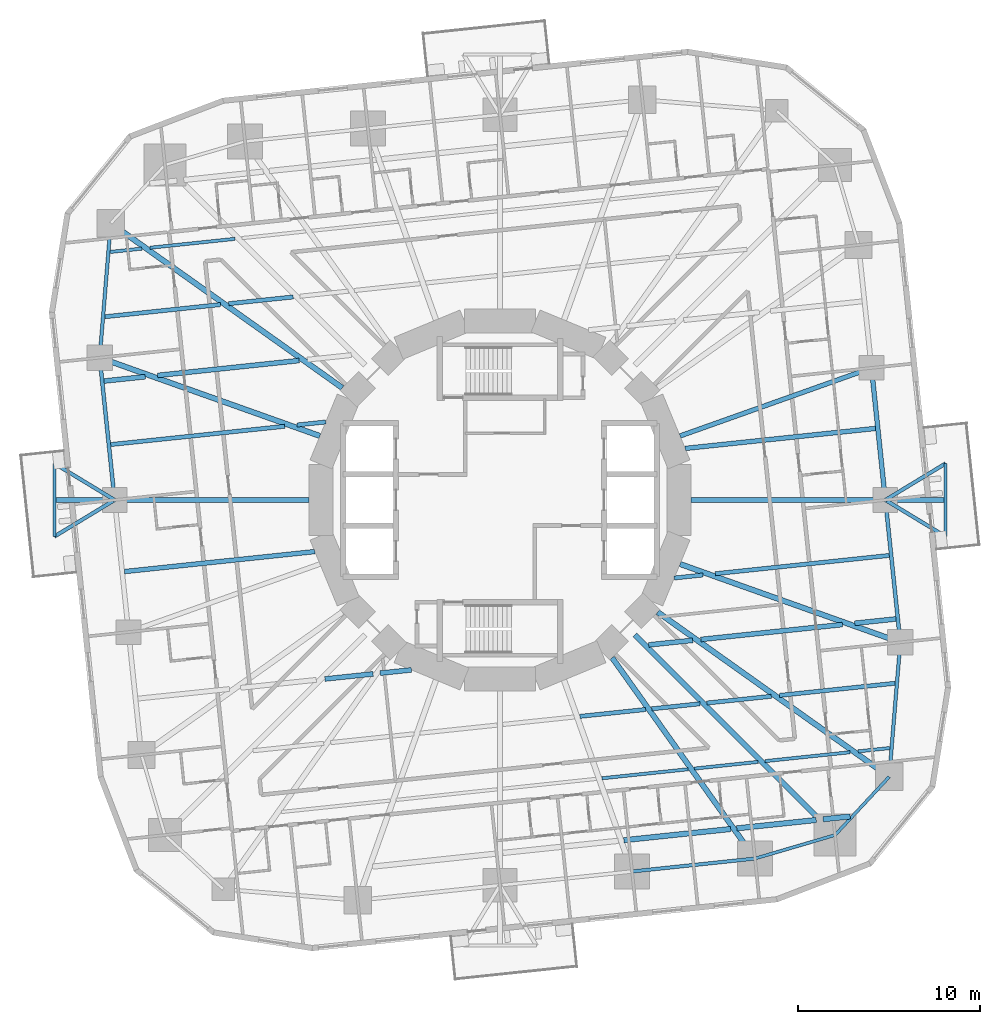
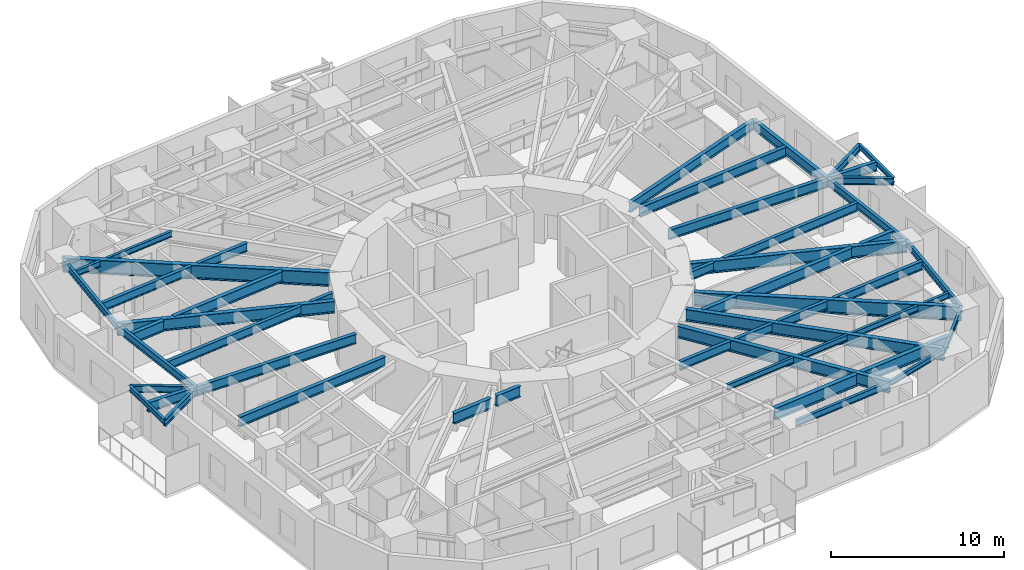
# One storey, part 2 of 13: 51 beams.
"""IFC4 building model written with IfcOpenShell, lengths in metres."""

from ifc_helpers import new_model, si_unit, direction, frame, origin, origin_2d, place, context, subcontext, project, spatial, i_section, extrude, material, material_profile, profile_set, type_object, element, save


model = new_model("IFC4")

# Units and contexts
model_context = context("Model", 3, precision=1e-05, world=origin(), true_north=direction((0.0, 1.0)))
body_context = subcontext(model_context, "Body", "Model", "MODEL_VIEW")
ifc_project = project(units=[si_unit("LENGTHUNIT", "METRE"), si_unit("AREAUNIT", "SQUARE_METRE"), si_unit("VOLUMEUNIT", "CUBIC_METRE"), si_unit("PLANEANGLEUNIT", "RADIAN"), si_unit("MASSUNIT", "GRAM", prefix="KILO")], contexts=[model_context])

# Site, building, storey
site_placement = place(None, origin())
site = spatial("IfcSite", under=ifc_project, at=site_placement, CompositionType="ELEMENT")
building_placement = place(site_placement, origin())
building = spatial("IfcBuilding", under=site, at=building_placement, Name="Nakasero Lantern House", CompositionType="ELEMENT")
storey_placement = place(building_placement, frame((0.0, 0.0, 83.60009765625)))
storey = spatial("IfcBuildingStorey", under=building, at=storey_placement, Name="L20", CompositionType="ELEMENT", Elevation=83.60009765625)

# Beams
ifc_material_1 = material(Name="Steel S355", Category="steel")
ifc_material_profile_1 = material_profile(ifc_material_1, i_section(OverallWidth=0.199462890625, OverallDepth=0.491943359375, WebThickness=0.01806640625, FlangeThickness=0.031982421875, FilletRadius=0.01025390625, at=origin_2d()), Name="UB 457x191x161")
ifc_profile_set_1 = profile_set([ifc_material_profile_1], Name="Steel S355")
beam_type_1 = type_object("IfcBeamType", Name="Balcony splay beam UB 457x191x161", PredefinedType="BEAM", material=ifc_profile_set_1)
for number, where, z_axis, x_axis, name in (
    (1, (21.11572265625, 0.0, 3.40380859375), (0.855201230787, 0.518296107317, 0.0), (-0.518296107317, 0.855201230787, 0.0), "Balcony splay beam L21 B2-C03A"),
    (2, (21.11572265625, 0.0, 3.40380859375), (0.855201230787, -0.518296107317, 0.0), (0.518296107317, 0.855201230787, 0.0), "Balcony splay beam L21 B2-C03B"),
    (3, (-21.11572265625, 0.0, 3.40380859375), (-0.855201230787, -0.518296107317, 0.0), (0.518296107317, -0.855201230787, 0.0), "Balcony splay beam L21 B2-C15A"),
    (4, (-21.11572265625, 0.0, 3.40380859375), (-0.855201230787, 0.518296107317, 0.0), (-0.518296107317, -0.855201230787, 0.0), "Balcony splay beam L21 B2-C15B"),
):
    element("IfcBeam", number, at=place(storey_placement, frame(where, z_axis=z_axis, x_axis=x_axis)), inside=storey, type_object=beam_type_1, Name=name, PredefinedType="BEAM", context=body_context, shape_type="SweptSolid", body=[
        extrude(i_section(OverallWidth=0.199462890625, OverallDepth=0.491943359375, WebThickness=0.01806640625, FlangeThickness=0.031982421875, FilletRadius=0.01025390625, at=origin_2d()), origin(), (0.0, 0.0, 1.0), 3.85888671875),
    ])
ifc_material_2 = material(Name="Steel S355", Category="steel")
ifc_material_profile_2 = material_profile(ifc_material_2, i_section(OverallWidth=0.17138671875, OverallDepth=0.35498046875, WebThickness=0.00732421875, FlangeThickness=0.011474609375, FilletRadius=0.01025390625, at=origin_2d()), Name="UB 356x171x51")
ifc_profile_set_2 = profile_set([ifc_material_profile_2], Name="Steel S355")
beam_type_2 = type_object("IfcBeamType", Name="Balcony tie beam UB 356x171x51", PredefinedType="BEAM", material=ifc_profile_set_2)
for number, where, z_axis, x_axis, name in (
    (5, (24.415771484375, 2.0, 3.472412109375), (0.0, -1.0, 0.0), (1.0, 0.0, 0.0), "Balcony tie beam L21 B2-C03"),
    (6, (-24.415771484375, -2.0, 3.472412109375), (0.0, 1.0, 0.0), (-1.0, 0.0, 0.0), "Balcony tie beam L21 B2-C15"),
):
    element("IfcBeam", number, at=place(storey_placement, frame(where, z_axis=z_axis, x_axis=x_axis)), inside=storey, type_object=beam_type_2, Name=name, PredefinedType="BEAM", context=body_context, shape_type="SweptSolid", body=[
        extrude(i_section(OverallWidth=0.17138671875, OverallDepth=0.35498046875, WebThickness=0.00732421875, FlangeThickness=0.011474609375, FilletRadius=0.01025390625, at=origin_2d()), origin(), (0.0, 0.0, 1.0), 4.0),
    ])
ifc_material_3 = material(Name="Steel S355", Category="steel")
ifc_material_profile_3 = material_profile(ifc_material_3, i_section(OverallWidth=0.177978515625, OverallDepth=0.406494140625, WebThickness=0.0078125, FlangeThickness=0.0126953125, FilletRadius=0.01025390625, at=origin_2d()), Name="UB 406x178x60")
ifc_profile_set_3 = profile_set([ifc_material_profile_3], Name="Steel S355")
beam_type_3 = type_object("IfcBeamType", Name="Infill beam UB 406x178x60", PredefinedType="JOIST", material=ifc_profile_set_3)
beam_1_placement = place(storey_placement, frame((5.58154296875, -15.25, 3.44677734375), z_axis=(0.994523439889, 0.104513767091, 0.0), x_axis=(-0.104513767091, 0.994523439889, 0.0)))
element("IfcBeam", 7, at=beam_1_placement, inside=storey, type_object=beam_type_3, Name="Infill beam L21 03.4", PredefinedType="JOIST", context=body_context, shape_type="SweptSolid", body=[
    extrude(i_section(OverallWidth=0.177978515625, OverallDepth=0.406494140625, WebThickness=0.0078125, FlangeThickness=0.0126953125, FilletRadius=0.01025390625, at=origin_2d()), origin(), (0.0, 0.0, 1.0), 4.756103515625),
])
beam_2_placement = place(storey_placement, frame((10.6455078125, -14.7177734375, 3.44677734375), z_axis=(0.994521415391, 0.104533029842, 0.0), x_axis=(-0.104533029842, 0.994521415391, 0.0)))
element("IfcBeam", 8, at=beam_2_placement, inside=storey, type_object=beam_type_3, Name="Infill beam L21 03.5", PredefinedType="JOIST", context=body_context, shape_type="SweptSolid", body=[
    extrude(i_section(OverallWidth=0.177978515625, OverallDepth=0.406494140625, WebThickness=0.0078125, FlangeThickness=0.0126953125, FilletRadius=0.01025390625, at=origin_2d()), origin(), (0.0, 0.0, 1.0), 3.517333984375),
])
beam_3_placement = place(storey_placement, frame((14.517578125, -14.310791015625, 3.44677734375), z_axis=(0.994522000641, 0.104527461662, 0.0), x_axis=(-0.104527461662, 0.994522000641, 0.0)))
element("IfcBeam", 9, at=beam_3_placement, inside=storey, type_object=beam_type_3, Name="Infill beam L21 03.6", PredefinedType="JOIST", context=body_context, shape_type="SweptSolid", body=[
    extrude(i_section(OverallWidth=0.177978515625, OverallDepth=0.406494140625, WebThickness=0.0078125, FlangeThickness=0.0126953125, FilletRadius=0.01025390625, at=origin_2d()), origin(), (0.0, 0.0, 1.0), 4.685302734375),
])
for number, where, z_axis, x_axis, name in (
    (10, (19.628173828125, -13.773681640625, 3.44677734375), (0.994526919783, 0.1044806481, 0.0), (-0.1044806481, 0.994526919783, 0.0), "Infill beam L21 03.7"),
    (11, (-21.36181640625, 13.591552734375, 3.44677734375), (0.994526919783, 0.1044806481, 0.0), (-0.1044806481, 0.994526919783, 0.0), "Infill beam L21 12.1"),
):
    element("IfcBeam", number, at=place(storey_placement, frame(where, z_axis=z_axis, x_axis=x_axis)), inside=storey, type_object=beam_type_3, Name=name, PredefinedType="JOIST", context=body_context, shape_type="SweptSolid", body=[
        extrude(i_section(OverallWidth=0.177978515625, OverallDepth=0.406494140625, WebThickness=0.0078125, FlangeThickness=0.0126953125, FilletRadius=0.01025390625, at=origin_2d()), origin(), (0.0, 0.0, 1.0), 1.7431640625),
    ])
beam_4_placement = place(storey_placement, frame((-19.17724609375, 13.821044921875, 3.44677734375), z_axis=(0.994522000641, 0.104527461662, 0.0), x_axis=(-0.104527461662, 0.994522000641, 0.0)))
element("IfcBeam", 12, at=beam_4_placement, inside=storey, type_object=beam_type_3, Name="Infill beam L21 12.2", PredefinedType="JOIST", context=body_context, shape_type="SweptSolid", body=[
    extrude(i_section(OverallWidth=0.177978515625, OverallDepth=0.406494140625, WebThickness=0.0078125, FlangeThickness=0.0126953125, FilletRadius=0.01025390625, at=origin_2d()), origin(), (0.0, 0.0, 1.0), 4.685302734375),
])
ifc_material_4 = material(Name="Steel S355", Category="steel")
ifc_material_profile_4 = material_profile(ifc_material_4, i_section(OverallWidth=0.2275390625, OverallDepth=0.6025390625, WebThickness=0.010498046875, FlangeThickness=0.014892578125, FilletRadius=0.0126953125, at=origin_2d()), Name="UB 610x229x101")
ifc_profile_set_4 = profile_set([ifc_material_profile_4], Name="Steel S355")
beam_type_4 = type_object("IfcBeamType", Name="Infill beam UB 610x229x101", PredefinedType="JOIST", material=ifc_profile_set_4)
beam_5_placement = place(storey_placement, frame((9.548583984375, -4.275390625, 3.3486328125), z_axis=(0.99451559139, 0.104588424223, 0.0), x_axis=(-0.104588424223, 0.99451559139, 0.0)))
element("IfcBeam", 13, at=beam_5_placement, inside=storey, type_object=beam_type_4, Name="Infill beam L21 06.1", PredefinedType="JOIST", context=body_context, shape_type="SweptSolid", body=[
    extrude(i_section(OverallWidth=0.2275390625, OverallDepth=0.6025390625, WebThickness=0.010498046875, FlangeThickness=0.014892578125, FilletRadius=0.0126953125, at=origin_2d()), origin(), (0.0, 0.0, 1.0), 1.582763671875),
])
for number, where, z_axis, x_axis, name in (
    (14, (11.79638671875, -4.0390625, 3.3486328125), (0.994521908804, 0.104528335435, 0.0), (-0.104528335435, 0.994521908804, 0.0), "Infill beam L21 06.2"),
    (15, (-21.329345703125, 3.037109375, 3.3486328125), (0.994521908804, 0.104528335435, 0.0), (-0.104528335435, 0.994521908804, 0.0), "Infill beam L21 09.1"),
):
    element("IfcBeam", number, at=place(storey_placement, frame(where, z_axis=z_axis, x_axis=x_axis)), inside=storey, type_object=beam_type_4, Name=name, PredefinedType="JOIST", context=body_context, shape_type="SweptSolid", body=[
        extrude(i_section(OverallWidth=0.2275390625, OverallDepth=0.6025390625, WebThickness=0.010498046875, FlangeThickness=0.014892578125, FilletRadius=0.0126953125, at=origin_2d()), origin(), (0.0, 0.0, 1.0), 9.58544921875),
    ])
beam_6_placement = place(storey_placement, frame((-11.12255859375, 4.10986328125, 3.3486328125), z_axis=(0.99451559139, 0.104588424223, 0.0), x_axis=(-0.104588424223, 0.99451559139, 0.0)))
element("IfcBeam", 16, at=beam_6_placement, inside=storey, type_object=beam_type_4, Name="Infill beam L21 09.2", PredefinedType="JOIST", context=body_context, shape_type="SweptSolid", body=[
    extrude(i_section(OverallWidth=0.2275390625, OverallDepth=0.6025390625, WebThickness=0.010498046875, FlangeThickness=0.014892578125, FilletRadius=0.0126953125, at=origin_2d()), origin(), (0.0, 0.0, 1.0), 1.582763671875),
])
ifc_material_5 = material(Name="Steel S355", Category="steel")
ifc_material_profile_5 = material_profile(ifc_material_5, i_section(OverallWidth=0.22900390625, OverallDepth=0.6123046875, WebThickness=0.011962890625, FlangeThickness=0.01953125, FilletRadius=0.0126953125, at=origin_2d()), Name="UB 610x229x125")
ifc_profile_set_5 = profile_set([ifc_material_profile_5], Name="Steel S355")
beam_type_5 = type_object("IfcBeamType", Name="Infill beam UB 610x229x125", PredefinedType="JOIST", material=ifc_profile_set_5)
beam_7_placement = place(storey_placement, frame((4.375244140625, -11.857666015625, 3.34375), z_axis=(0.994523507044, 0.104513128058, 0.0), x_axis=(-0.104513128058, 0.994523507044, 0.0)))
element("IfcBeam", 17, at=beam_7_placement, inside=storey, type_object=beam_type_5, Name="Infill beam L21 04.5", PredefinedType="JOIST", context=body_context, shape_type="SweptSolid", body=[
    extrude(i_section(OverallWidth=0.22900390625, OverallDepth=0.6123046875, WebThickness=0.011962890625, FlangeThickness=0.01953125, FilletRadius=0.0126953125, at=origin_2d()), origin(), (0.0, 0.0, 1.0), 3.627685546875),
])
beam_8_placement = place(storey_placement, frame((8.31689453125, -11.443359375, 3.34375), z_axis=(0.994526079282, 0.104488648322, 0.0), x_axis=(-0.104488648322, 0.994526079282, 0.0)))
element("IfcBeam", 18, at=beam_8_placement, inside=storey, type_object=beam_type_5, Name="Infill beam L21 04.6", PredefinedType="JOIST", context=body_context, shape_type="SweptSolid", body=[
    extrude(i_section(OverallWidth=0.22900390625, OverallDepth=0.6123046875, WebThickness=0.011962890625, FlangeThickness=0.01953125, FilletRadius=0.0126953125, at=origin_2d()), origin(), (0.0, 0.0, 1.0), 2.65673828125),
])
beam_9_placement = place(storey_placement, frame((11.3330078125, -11.126220703125, 3.34375), z_axis=(0.99452727583, 0.104477258916, 0.0), x_axis=(-0.104477258916, 0.99452727583, 0.0)))
element("IfcBeam", 19, at=beam_9_placement, inside=storey, type_object=beam_type_5, Name="Infill beam L21 04.7", PredefinedType="JOIST", context=body_context, shape_type="SweptSolid", body=[
    extrude(i_section(OverallWidth=0.22900390625, OverallDepth=0.6123046875, WebThickness=0.011962890625, FlangeThickness=0.01953125, FilletRadius=0.0126953125, at=origin_2d()), origin(), (0.0, 0.0, 1.0), 3.552001953125),
])
for number, where, z_axis, x_axis, name in (
    (20, (15.31640625, -10.707763671875, 3.34375), (0.994520346325, 0.104543200382, 0.0), (-0.104543200382, 0.994520346325, 0.0), "Infill beam L21 04.8"),
    (21, (-21.654541015625, 10.04150390625, 3.34375), (0.994520346325, 0.104543200382, 0.0), (-0.104543200382, 0.994520346325, 0.0), "Infill beam L21 11.1"),
):
    element("IfcBeam", number, at=place(storey_placement, frame(where, z_axis=z_axis, x_axis=x_axis)), inside=storey, type_object=beam_type_5, Name=name, PredefinedType="JOIST", context=body_context, shape_type="SweptSolid", body=[
        extrude(i_section(OverallWidth=0.22900390625, OverallDepth=0.6123046875, WebThickness=0.011962890625, FlangeThickness=0.01953125, FilletRadius=0.0126953125, at=origin_2d()), origin(), (0.0, 0.0, 1.0), 6.373046875),
    ])
beam_10_placement = place(storey_placement, frame((-14.865478515625, 10.755126953125, 3.34375), z_axis=(0.99452727583, 0.104477258916, 0.0), x_axis=(-0.104477258916, 0.99452727583, 0.0)))
element("IfcBeam", 22, at=beam_10_placement, inside=storey, type_object=beam_type_5, Name="Infill beam L21 11.2", PredefinedType="JOIST", context=body_context, shape_type="SweptSolid", body=[
    extrude(i_section(OverallWidth=0.22900390625, OverallDepth=0.6123046875, WebThickness=0.011962890625, FlangeThickness=0.01953125, FilletRadius=0.0126953125, at=origin_2d()), origin(), (0.0, 0.0, 1.0), 3.552001953125),
])
ifc_material_6 = material(Name="Steel S355", Category="steel")
ifc_material_profile_6 = material_profile(ifc_material_6, i_section(OverallWidth=0.255859375, OverallDepth=0.69287109375, WebThickness=0.014404296875, FlangeThickness=0.023681640625, FilletRadius=0.01513671875, at=origin_2d()), Name="UB 686x254x170")
ifc_profile_set_6 = profile_set([ifc_material_profile_6], Name="Steel S355")
beam_type_6 = type_object("IfcBeamType", Name="Infill beam UB 686x254x170", PredefinedType="JOIST", material=ifc_profile_set_6)
for number, where, z_axis, x_axis, name in (
    (23, (-20.575927734375, -3.92236328125, 3.303466796875), (0.994521899939, 0.104528419781, 0.0), (-0.104528419781, 0.994521899939, 0.0), "Infill beam L21 07.1"),
    (24, (10.148681640625, 2.826416015625, 3.303466796875), (0.994521899939, 0.104528419781, 0.0), (-0.104528419781, 0.994521899939, 0.0), "Infill beam L21 08.1"),
):
    element("IfcBeam", number, at=place(storey_placement, frame(where, z_axis=z_axis, x_axis=x_axis)), inside=storey, type_object=beam_type_6, Name=name, PredefinedType="JOIST", context=body_context, shape_type="SweptSolid", body=[
        extrude(i_section(OverallWidth=0.255859375, OverallDepth=0.69287109375, WebThickness=0.014404296875, FlangeThickness=0.023681640625, FilletRadius=0.01513671875, at=origin_2d()), origin(), (0.0, 0.0, 1.0), 10.484619140625),
    ])
ifc_material_7 = material(Name="Steel S355", Category="steel")
ifc_material_profile_7 = material_profile(ifc_material_7, i_section(OverallWidth=0.2666015625, OverallDepth=0.76220703125, WebThickness=0.014404296875, FlangeThickness=0.021484375, FilletRadius=0.0166015625, at=origin_2d()), Name="UB 762x267x173")
ifc_profile_set_7 = profile_set([ifc_material_profile_7], Name="Steel S355")
beam_type_7 = type_object("IfcBeamType", Name="Infill beam UB 762x267x173", PredefinedType="JOIST", material=ifc_profile_set_7)
beam_11_placement = place(storey_placement, frame((-9.594482421875, -9.806640625, 3.268798828125), z_axis=(0.994521575627, 0.104531505358, 0.0), x_axis=(-0.104531505358, 0.994521575627, 0.0)))
element("IfcBeam", 25, at=beam_11_placement, inside=storey, type_object=beam_type_7, Name="Infill beam L21 05.3", PredefinedType="JOIST", context=body_context, shape_type="SweptSolid", body=[
    extrude(i_section(OverallWidth=0.2666015625, OverallDepth=0.76220703125, WebThickness=0.014404296875, FlangeThickness=0.021484375, FilletRadius=0.0166015625, at=origin_2d()), origin(), (0.0, 0.0, 1.0), 2.6533203125),
])
beam_12_placement = place(storey_placement, frame((-6.568115234375, -9.488525390625, 3.268798828125), z_axis=(0.994529501552, 0.104456069922, 0.0), x_axis=(-0.104456069922, 0.994529501552, 0.0)))
element("IfcBeam", 26, at=beam_12_placement, inside=storey, type_object=beam_type_7, Name="Infill beam L21 05.4", PredefinedType="JOIST", context=body_context, shape_type="SweptSolid", body=[
    extrude(i_section(OverallWidth=0.2666015625, OverallDepth=0.76220703125, WebThickness=0.014404296875, FlangeThickness=0.021484375, FilletRadius=0.0166015625, at=origin_2d()), origin(), (0.0, 0.0, 1.0), 1.72265625),
])
beam_13_placement = place(storey_placement, frame((8.1484375, -7.941650390625, 3.268798828125), z_axis=(0.99452700398, 0.104479846642, 0.0), x_axis=(-0.104479846642, 0.99452700398, 0.0)))
element("IfcBeam", 27, at=beam_13_placement, inside=storey, type_object=beam_type_7, Name="Infill beam L21 05.5", PredefinedType="JOIST", context=body_context, shape_type="SweptSolid", body=[
    extrude(i_section(OverallWidth=0.2666015625, OverallDepth=0.76220703125, WebThickness=0.014404296875, FlangeThickness=0.021484375, FilletRadius=0.0166015625, at=origin_2d()), origin(), (0.0, 0.0, 1.0), 2.41845703125),
])
beam_14_placement = place(storey_placement, frame((11.0048828125, -7.6416015625, 3.268798828125), z_axis=(0.994520535103, 0.104541404521, 0.0), x_axis=(-0.104541404521, 0.994520535103, 0.0)))
element("IfcBeam", 28, at=beam_14_placement, inside=storey, type_object=beam_type_7, Name="Infill beam L21 05.6", PredefinedType="JOIST", context=body_context, shape_type="SweptSolid", body=[
    extrude(i_section(OverallWidth=0.2666015625, OverallDepth=0.76220703125, WebThickness=0.014404296875, FlangeThickness=0.021484375, FilletRadius=0.0166015625, at=origin_2d()), origin(), (0.0, 0.0, 1.0), 7.800048828125),
])
for number, where, z_axis, x_axis, name in (
    (29, (19.43603515625, -6.75537109375, 3.268798828125), (0.994516636986, 0.104578481334, 0.0), (-0.104578481334, 0.994516636986, 0.0), "Infill beam L21 05.7"),
    (30, (-21.695068359375, 6.517822265625, 3.268798828125), (0.994516636986, 0.104578481334, 0.0), (-0.104578481334, 0.994516636986, 0.0), "Infill beam L21 10.1"),
):
    element("IfcBeam", number, at=place(storey_placement, frame(where, z_axis=z_axis, x_axis=x_axis)), inside=storey, type_object=beam_type_7, Name=name, PredefinedType="JOIST", context=body_context, shape_type="SweptSolid", body=[
        extrude(i_section(OverallWidth=0.2666015625, OverallDepth=0.76220703125, WebThickness=0.014404296875, FlangeThickness=0.021484375, FilletRadius=0.0166015625, at=origin_2d()), origin(), (0.0, 0.0, 1.0), 2.271484375),
    ])
beam_15_placement = place(storey_placement, frame((-18.76220703125, 6.826171875, 3.268798828125), z_axis=(0.994520535103, 0.104541404521, 0.0), x_axis=(-0.104541404521, 0.994520535103, 0.0)))
element("IfcBeam", 31, at=beam_15_placement, inside=storey, type_object=beam_type_7, Name="Infill beam L21 10.2", PredefinedType="JOIST", context=body_context, shape_type="SweptSolid", body=[
    extrude(i_section(OverallWidth=0.2666015625, OverallDepth=0.76220703125, WebThickness=0.014404296875, FlangeThickness=0.021484375, FilletRadius=0.0166015625, at=origin_2d()), origin(), (0.0, 0.0, 1.0), 7.800048828125),
])
ifc_material_8 = material(Name="Steel S355", Category="steel")
ifc_material_profile_8 = material_profile(ifc_material_8, i_section(OverallWidth=0.29248046875, OverallDepth=0.8408203125, WebThickness=0.0146484375, FlangeThickness=0.02685546875, FilletRadius=0.017822265625, at=origin_2d()), Name="UB 838x292x194")
ifc_profile_set_8 = profile_set([ifc_material_profile_8], Name="Steel S355")
beam_type_8 = type_object("IfcBeamType", Name="Infill beam UB 838x292x194", PredefinedType="JOIST", material=ifc_profile_set_8)
beam_16_placement = place(storey_placement, frame((6.78759765625, -18.642578125, 3.2294921875), z_axis=(0.994524304789, 0.104505536616, 0.0), x_axis=(-0.104505536616, 0.994524304789, 0.0)))
element("IfcBeam", 32, at=beam_16_placement, inside=storey, type_object=beam_type_8, Name="Infill beam L21 02.3", PredefinedType="JOIST", context=body_context, shape_type="SweptSolid", body=[
    extrude(i_section(OverallWidth=0.29248046875, OverallDepth=0.8408203125, WebThickness=0.0146484375, FlangeThickness=0.02685546875, FilletRadius=0.017822265625, at=origin_2d()), origin(), (0.0, 0.0, 1.0), 5.884765625),
])
beam_17_placement = place(storey_placement, frame((12.97412109375, -17.992431640625, 3.2294921875), z_axis=(0.994518584312, 0.104559961062, 0.0), x_axis=(-0.104559961062, 0.994518584312, 0.0)))
element("IfcBeam", 33, at=beam_17_placement, inside=storey, type_object=beam_type_8, Name="Infill beam L21 02.4", PredefinedType="JOIST", context=body_context, shape_type="SweptSolid", body=[
    extrude(i_section(OverallWidth=0.29248046875, OverallDepth=0.8408203125, WebThickness=0.0146484375, FlangeThickness=0.02685546875, FilletRadius=0.017822265625, at=origin_2d()), origin(), (0.0, 0.0, 1.0), 4.3779296875),
])
beam_18_placement = place(storey_placement, frame((17.7021484375, -17.495361328125, 3.2294921875), z_axis=(0.994535800288, 0.104396082038, 0.0), x_axis=(-0.104396082038, 0.994535800288, 0.0)))
element("IfcBeam", 34, at=beam_18_placement, inside=storey, type_object=beam_type_8, Name="Infill beam L21 02.5", PredefinedType="JOIST", context=body_context, shape_type="SweptSolid", body=[
    extrude(i_section(OverallWidth=0.29248046875, OverallDepth=0.8408203125, WebThickness=0.0146484375, FlangeThickness=0.02685546875, FilletRadius=0.017822265625, at=origin_2d()), origin(), (0.0, 0.0, 1.0), 1.49658203125),
])
ifc_material_9 = material(Name="Steel S355", Category="steel")
ifc_material_profile_9 = material_profile(ifc_material_9, i_section(OverallWidth=0.300048828125, OverallDepth=0.989990234375, WebThickness=0.0166015625, FlangeThickness=0.031005859375, FilletRadius=0.030029296875, at=origin_2d()), Name="UB 1016x305x272")
ifc_profile_set_9 = profile_set([ifc_material_profile_9], Name="Steel S355")
beam_type_9 = type_object("IfcBeamType", Name="Primary beam UB 1016x305x272, span over 15 m", PredefinedType="BEAM", material=ifc_profile_set_9)
for number, where, z_axis, x_axis, name in (
    (35, (21.327880859375, -15.16650390625, 3.15478515625), (-0.814951538239, 0.57952911085, 0.0), (-0.57952911085, -0.814951538239, 0.0), "Primary beam L21 B2-C01"),
    (36, (-21.327880859375, 15.16650390625, 3.15478515625), (0.814951538239, -0.57952911085, 0.0), (0.57952911085, 0.814951538239, 0.0), "Primary beam L21 B2-C13"),
):
    element("IfcBeam", number, at=place(storey_placement, frame(where, z_axis=z_axis, x_axis=x_axis)), inside=storey, type_object=beam_type_9, Name=name, PredefinedType="BEAM", context=body_context, shape_type="SweptSolid", body=[
        extrude(i_section(OverallWidth=0.300048828125, OverallDepth=0.989990234375, WebThickness=0.0166015625, FlangeThickness=0.031005859375, FilletRadius=0.030029296875, at=origin_2d()), origin(), (0.0, 0.0, 1.0), 15.564697265625),
    ])
ifc_material_10 = material(Name="Steel S355", Category="steel")
ifc_material_profile_10 = material_profile(ifc_material_10, i_section(OverallWidth=0.253662109375, OverallDepth=0.68359375, WebThickness=0.012451171875, FlangeThickness=0.01904296875, FilletRadius=0.01513671875, at=origin_2d()), Name="UB 686x254x140")
ifc_profile_set_10 = profile_set([ifc_material_profile_10], Name="Steel S355")
beam_type_10 = type_object("IfcBeamType", Name="Primary beam UB 686x254x140, span 9 to 12 m", PredefinedType="BEAM", material=ifc_profile_set_10)
beam_19_placement = place(storey_placement, frame((24.415771484375, 0.0, 3.30810546875), z_axis=(-1.0, 0.0, 0.0), x_axis=(0.0, -1.0, 0.0)))
element("IfcBeam", 37, at=beam_19_placement, inside=storey, type_object=beam_type_10, Name="Primary beam L21 B2-C03", PredefinedType="BEAM", context=body_context, shape_type="SweptSolid", body=[
    extrude(i_section(OverallWidth=0.253662109375, OverallDepth=0.68359375, WebThickness=0.012451171875, FlangeThickness=0.01904296875, FilletRadius=0.01513671875, at=origin_2d()), origin(), (0.0, 0.0, 1.0), 13.9580078125),
])
beam_20_placement = place(storey_placement, frame((20.35498046875, 7.2373046875, 3.30810546875), z_axis=(-0.942214844119, -0.335009234979, 0.0), x_axis=(0.335009234979, -0.942214844119, 0.0)))
element("IfcBeam", 38, at=beam_20_placement, inside=storey, type_object=beam_type_10, Name="Primary beam L21 B2-C04", PredefinedType="BEAM", context=body_context, shape_type="SweptSolid", body=[
    extrude(i_section(OverallWidth=0.253662109375, OverallDepth=0.68359375, WebThickness=0.012451171875, FlangeThickness=0.01904296875, FilletRadius=0.01513671875, at=origin_2d()), origin(), (0.0, 0.0, 1.0), 11.1318359375),
])
beam_21_placement = place(storey_placement, frame((-24.415771484375, 0.0, 3.30810546875), z_axis=(1.0, 0.0, 0.0), x_axis=(0.0, 1.0, 0.0)))
element("IfcBeam", 39, at=beam_21_placement, inside=storey, type_object=beam_type_10, Name="Primary beam L21 B2-C15", PredefinedType="BEAM", context=body_context, shape_type="SweptSolid", body=[
    extrude(i_section(OverallWidth=0.253662109375, OverallDepth=0.68359375, WebThickness=0.012451171875, FlangeThickness=0.01904296875, FilletRadius=0.01513671875, at=origin_2d()), origin(), (0.0, 0.0, 1.0), 13.9580078125),
])
ifc_material_11 = material(Name="Steel S355", Category="steel")
ifc_material_profile_11 = material_profile(ifc_material_11, i_section(OverallWidth=0.29248046875, OverallDepth=0.8408203125, WebThickness=0.0146484375, FlangeThickness=0.02685546875, FilletRadius=0.017822265625, at=origin_2d()), Name="UB 838x292x194")
ifc_profile_set_11 = profile_set([ifc_material_profile_11], Name="Steel S355")
beam_type_11 = type_object("IfcBeamType", Name="Primary beam UB 838x292x194, span 12 to 15 m", PredefinedType="BEAM", material=ifc_profile_set_11)
for number, where, z_axis, x_axis, name in (
    (40, (21.935302734375, -7.79931640625, 3.2294921875), (-0.942211882636, 0.335017564047, 0.0), (-0.335017564047, -0.942211882636, 0.0), "Primary beam L21 B2-C02"),
    (41, (-21.935302734375, 7.79931640625, 3.2294921875), (0.942211882636, -0.335017564047, 0.0), (0.335017564047, 0.942211882636, 0.0), "Primary beam L21 B2-C14"),
):
    element("IfcBeam", number, at=place(storey_placement, frame(where, z_axis=z_axis, x_axis=x_axis)), inside=storey, type_object=beam_type_11, Name=name, PredefinedType="BEAM", context=body_context, shape_type="SweptSolid", body=[
        extrude(i_section(OverallWidth=0.29248046875, OverallDepth=0.8408203125, WebThickness=0.0146484375, FlangeThickness=0.02685546875, FilletRadius=0.017822265625, at=origin_2d()), origin(), (0.0, 0.0, 1.0), 12.80908203125),
    ])
beam_22_placement = place(storey_placement, frame((13.971435546875, -19.647216796875, 3.2294921875), z_axis=(-0.579533393168, 0.814948492976, 0.0), x_axis=(-0.814948492976, -0.579533393168, 0.0)))
element("IfcBeam", 42, at=beam_22_placement, inside=storey, type_object=beam_type_11, Name="Primary beam L21 B2-C23", PredefinedType="BEAM", context=body_context, shape_type="SweptSolid", body=[
    extrude(i_section(OverallWidth=0.29248046875, OverallDepth=0.8408203125, WebThickness=0.0146484375, FlangeThickness=0.02685546875, FilletRadius=0.017822265625, at=origin_2d()), origin(), (0.0, 0.0, 1.0), 13.502685546875),
])
ifc_material_12 = material(Name="Steel S355", Category="steel")
ifc_material_profile_12 = material_profile(ifc_material_12, i_section(OverallWidth=0.29248046875, OverallDepth=0.8408203125, WebThickness=0.0146484375, FlangeThickness=0.02685546875, FilletRadius=0.017822265625, at=origin_2d()), Name="UB 838x292x194")
ifc_profile_set_12 = profile_set([ifc_material_profile_12], Name="Steel S355")
beam_type_12 = type_object("IfcBeamType", Name="Primary beam UB 838x292x194, span over 15 m", PredefinedType="BEAM", material=ifc_profile_set_12)
beam_23_placement = place(storey_placement, frame((18.359375, -18.359375, 3.2294921875), z_axis=(-0.707106781187, 0.707106781187, 0.0), x_axis=(-0.707106781187, -0.707106781187, 0.0)))
element("IfcBeam", 43, at=beam_23_placement, inside=storey, type_object=beam_type_12, Name="Primary beam L21 B2-C24", PredefinedType="BEAM", context=body_context, shape_type="SweptSolid", body=[
    extrude(i_section(OverallWidth=0.29248046875, OverallDepth=0.8408203125, WebThickness=0.0146484375, FlangeThickness=0.02685546875, FilletRadius=0.017822265625, at=origin_2d()), origin(), (0.0, 0.0, 1.0), 15.50634765625),
])
ifc_material_13 = material(Name="Steel S355", Category="steel")
ifc_material_profile_13 = material_profile(ifc_material_13, i_section(OverallWidth=0.17138671875, OverallDepth=0.35498046875, WebThickness=0.00732421875, FlangeThickness=0.011474609375, FilletRadius=0.01025390625, at=origin_2d()), Name="UB 356x171x51")
ifc_profile_set_13 = profile_set([ifc_material_profile_13], Name="Steel S355")
beam_type_13 = type_object("IfcBeamType", Name="Ring beam UB 356x171x51", PredefinedType="BEAM", material=ifc_profile_set_13)
beam_24_placement = place(storey_placement, frame((13.971435546875, -19.647216796875, 3.472412109375), z_axis=(0.959526865957, 0.28161710443, 0.0), x_axis=(-0.28161710443, 0.959526865957, 0.0)))
element("IfcBeam", 44, at=beam_24_placement, inside=storey, type_object=beam_type_13, Name="Ring beam L21 B2-C23", PredefinedType="BEAM", context=body_context, shape_type="SweptSolid", body=[
    extrude(i_section(OverallWidth=0.17138671875, OverallDepth=0.35498046875, WebThickness=0.00732421875, FlangeThickness=0.011474609375, FilletRadius=0.01025390625, at=origin_2d()), origin(), (0.0, 0.0, 1.0), 4.572998046875),
])
beam_25_placement = place(storey_placement, frame((18.359375, -18.359375, 3.472412109375), z_axis=(0.680906333933, 0.732370510336, 0.0), x_axis=(-0.732370510336, 0.680906333933, 0.0)))
element("IfcBeam", 45, at=beam_25_placement, inside=storey, type_object=beam_type_13, Name="Ring beam L21 B2-C24", PredefinedType="BEAM", context=body_context, shape_type="SweptSolid", body=[
    extrude(i_section(OverallWidth=0.17138671875, OverallDepth=0.35498046875, WebThickness=0.00732421875, FlangeThickness=0.011474609375, FilletRadius=0.01025390625, at=origin_2d()), origin(), (0.0, 0.0, 1.0), 4.359619140625),
])
ifc_material_14 = material(Name="Steel S355", Category="steel")
ifc_material_profile_14 = material_profile(ifc_material_14, i_section(OverallWidth=0.18994140625, OverallDepth=0.453369140625, WebThickness=0.008544921875, FlangeThickness=0.0126953125, FilletRadius=0.01025390625, at=origin_2d()), Name="UB 457x191x67")
ifc_profile_set_14 = profile_set([ifc_material_profile_14], Name="Steel S355")
beam_type_14 = type_object("IfcBeamType", Name="Ring beam UB 457x191x67", PredefinedType="BEAM", material=ifc_profile_set_14)
beam_26_placement = place(storey_placement, frame((7.2373046875, -20.35498046875, 3.423095703125), z_axis=(0.994522233155, 0.10452524939, 0.0), x_axis=(-0.10452524939, 0.994522233155, 0.0)))
element("IfcBeam", 46, at=beam_26_placement, inside=storey, type_object=beam_type_14, Name="Ring beam L21 B2-C22", PredefinedType="BEAM", context=body_context, shape_type="SweptSolid", body=[
    extrude(i_section(OverallWidth=0.18994140625, OverallDepth=0.453369140625, WebThickness=0.008544921875, FlangeThickness=0.0126953125, FilletRadius=0.01025390625, at=origin_2d()), origin(), (0.0, 0.0, 1.0), 6.771240234375),
])
ifc_material_15 = material(Name="Steel S355", Category="steel")
ifc_material_profile_15 = material_profile(ifc_material_15, i_section(OverallWidth=0.19140625, OverallDepth=0.4599609375, WebThickness=0.010009765625, FlangeThickness=0.01611328125, FilletRadius=0.01025390625, at=origin_2d()), Name="UB 457x191x82")
ifc_profile_set_15 = profile_set([ifc_material_profile_15], Name="Steel S355")
beam_type_15 = type_object("IfcBeamType", Name="Ring beam UB 457x191x82", PredefinedType="BEAM", material=ifc_profile_set_15)
for number, where, z_axis, x_axis, name in (
    (47, (21.327880859375, -15.16650390625, 3.419921875), (0.08217080574, 0.996618261264, 0.0), (-0.996618261264, 0.08217080574, 0.0), "Ring beam L21 B2-C01"),
    (48, (-21.327880859375, 15.16650390625, 3.419921875), (-0.08217080574, -0.996618261264, 0.0), (0.996618261264, -0.08217080574, 0.0), "Ring beam L21 B2-C13"),
):
    element("IfcBeam", number, at=place(storey_placement, frame(where, z_axis=z_axis, x_axis=x_axis)), inside=storey, type_object=beam_type_15, Name=name, PredefinedType="BEAM", context=body_context, shape_type="SweptSolid", body=[
        extrude(i_section(OverallWidth=0.19140625, OverallDepth=0.4599609375, WebThickness=0.010009765625, FlangeThickness=0.01611328125, FilletRadius=0.01025390625, at=origin_2d()), origin(), (0.0, 0.0, 1.0), 7.39208984375),
    ])
ifc_material_16 = material(Name="Steel S355", Category="steel")
ifc_material_profile_16 = material_profile(ifc_material_16, i_section(OverallWidth=0.2099609375, OverallDepth=0.53662109375, WebThickness=0.0107421875, FlangeThickness=0.017333984375, FilletRadius=0.0126953125, at=origin_2d()), Name="UB 533x210x101")
ifc_profile_set_16 = profile_set([ifc_material_profile_16], Name="Steel S355")
beam_type_16 = type_object("IfcBeamType", Name="Ring beam UB 533x210x101", PredefinedType="BEAM", material=ifc_profile_set_16)
for number, where, z_axis, x_axis, name in (
    (49, (21.935302734375, -7.79931640625, 3.381591796875), (-0.104508144098, 0.994524030789, 0.0), (-0.994524030789, -0.104508144098, 0.0), "Ring beam L21 B2-C02"),
    (50, (-21.935302734375, 7.79931640625, 3.381591796875), (0.104508144098, -0.994524030789, 0.0), (0.994524030789, 0.104508144098, 0.0), "Ring beam L21 B2-C14"),
):
    element("IfcBeam", number, at=place(storey_placement, frame(where, z_axis=z_axis, x_axis=x_axis)), inside=storey, type_object=beam_type_16, Name=name, PredefinedType="BEAM", context=body_context, shape_type="SweptSolid", body=[
        extrude(i_section(OverallWidth=0.2099609375, OverallDepth=0.53662109375, WebThickness=0.0107421875, FlangeThickness=0.017333984375, FilletRadius=0.0126953125, at=origin_2d()), origin(), (0.0, 0.0, 1.0), 7.84228515625),
    ])
ifc_material_17 = material(Name="Steel S355", Category="steel")
ifc_material_profile_17 = material_profile(ifc_material_17, i_section(OverallWidth=0.253662109375, OverallDepth=0.68359375, WebThickness=0.012451171875, FlangeThickness=0.01904296875, FilletRadius=0.01513671875, at=origin_2d()), Name="UB 686x254x140")
ifc_profile_set_17 = profile_set([ifc_material_profile_17], Name="Steel S355")
beam_type_17 = type_object("IfcBeamType", Name="Ring beam UB 686x254x140", PredefinedType="BEAM", material=ifc_profile_set_17)
beam_27_placement = place(storey_placement, frame((21.11572265625, 0.0, 3.30810546875), z_axis=(-0.104538087767, 0.994520883746, 0.0), x_axis=(-0.994520883746, -0.104538087767, 0.0)))
element("IfcBeam", 51, at=beam_27_placement, inside=storey, type_object=beam_type_17, Name="Ring beam L21 B2-C03", PredefinedType="BEAM", context=body_context, shape_type="SweptSolid", body=[
    extrude(i_section(OverallWidth=0.253662109375, OverallDepth=0.68359375, WebThickness=0.012451171875, FlangeThickness=0.01904296875, FilletRadius=0.01513671875, at=origin_2d()), origin(), (0.0, 0.0, 1.0), 7.277099609375),
])

save(model, "model.ifc")
